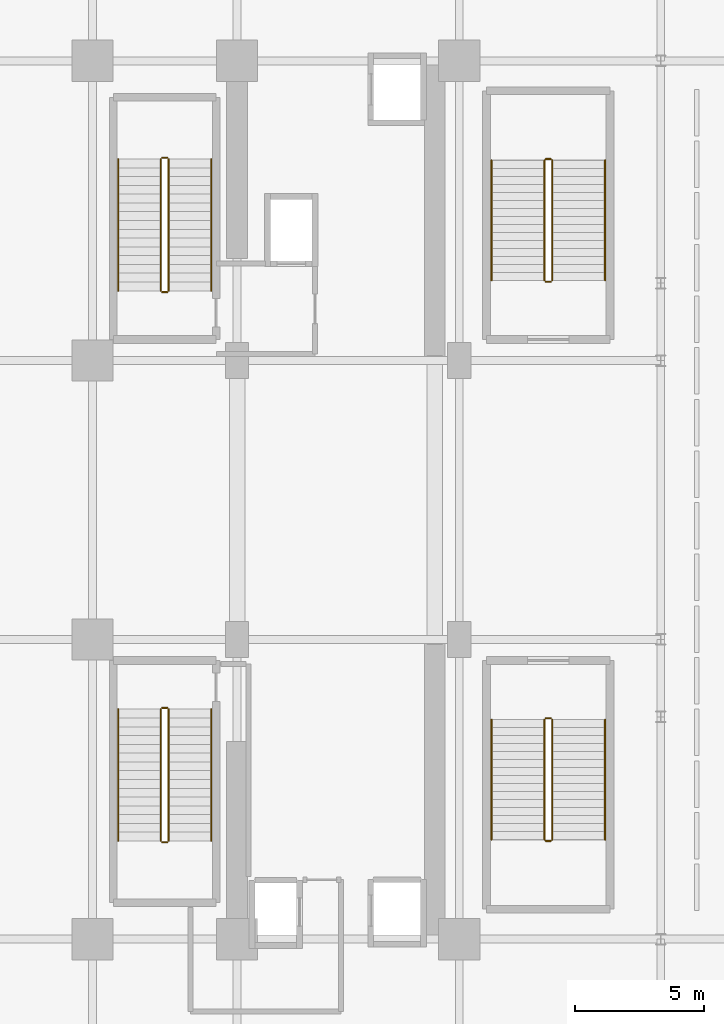
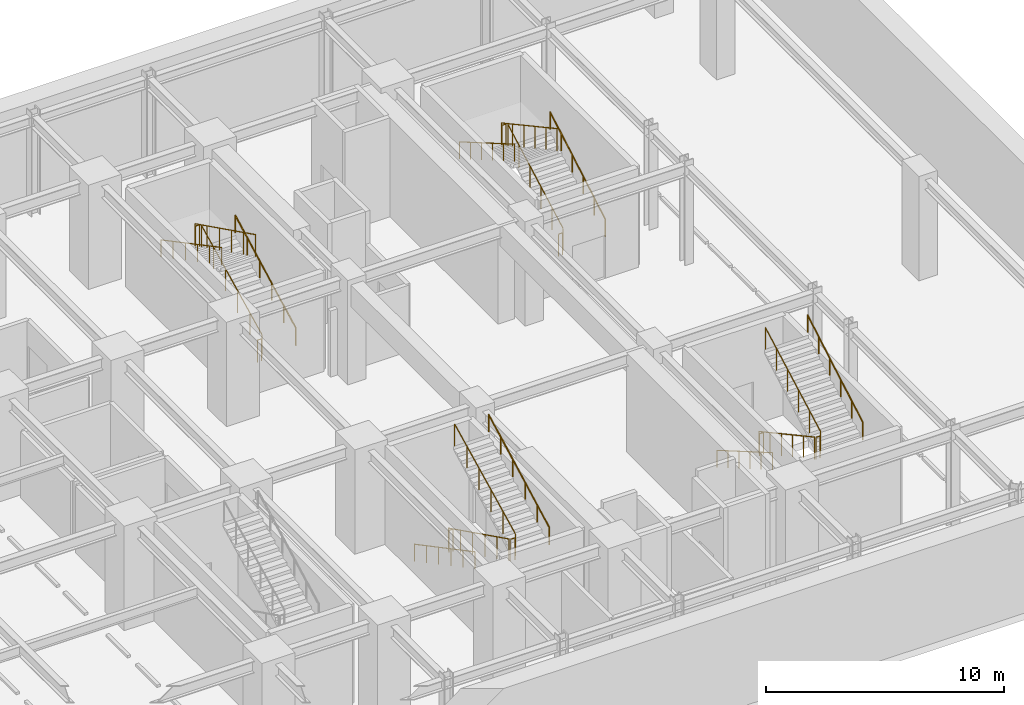
# One storey, part 10 of 10: 24 railings.
"""IFC4 building model written with IfcOpenShell, lengths in metres."""

from ifc_helpers import new_model, si_unit, direction, frame, origin, origin_2d, place, context, subcontext, project, spatial, circle, extrude, material, type_object, element, save


model = new_model("IFC4")

# Units and contexts
model_context = context("Model", 3, precision=1e-05, world=origin(), true_north=direction((0.0, 1.0)))
body_context = subcontext(model_context, "Body", "Model", "MODEL_VIEW")
ifc_project = project(units=[si_unit("LENGTHUNIT", "METRE"), si_unit("AREAUNIT", "SQUARE_METRE"), si_unit("VOLUMEUNIT", "CUBIC_METRE"), si_unit("PLANEANGLEUNIT", "RADIAN"), si_unit("MASSUNIT", "GRAM", prefix="KILO")], contexts=[model_context])

# Site, building, storey
site_placement = place(None, origin())
site = spatial("IfcSite", under=ifc_project, at=site_placement, CompositionType="ELEMENT")
building_placement = place(site_placement, origin())
building = spatial("IfcBuilding", under=site, at=building_placement, Name="Nahalor Promenade Grand Hotel", CompositionType="ELEMENT")
storey_placement = place(building_placement, frame((0.0, 0.0, -5.39990234375)))
storey = spatial("IfcBuildingStorey", under=building, at=storey_placement, Name="B01", CompositionType="ELEMENT", Elevation=-5.39990234375)

# Railings
ifc_material = material(Name="Steel S355JR", Category="steel")
railing_type_1 = type_object("IfcRailingType", Name="Steel Stair Guardrail 1150 mm", PredefinedType="GUARDRAIL", material=ifc_material)
railing_1_placement = place(storey_placement, frame((5.75, 8.10009765625, 0.168701171875)))
element("IfcRailing", 1, at=railing_1_placement, inside=storey, type_object=railing_type_1, Name="B01 ST1 stair guard 1", PredefinedType="GUARDRAIL", context=body_context, shape_type="SweptSolid", body=[
    extrude(circle(Radius=0.024048, at=origin_2d()), frame((0.0, 0.0, 1.1259765625), z_axis=(0.0, 0.895735491292, 0.444587370086), x_axis=(-1.0, 0.0, 0.0)), (0.0, 0.0, 1.0), 5.693603515625),
    extrude(circle(Radius=0.020996, at=origin_2d()), origin(), (0.0, 0.0, 1.0), 1.099853515625),
    extrude(circle(Radius=0.020996, at=origin_2d()), frame((0.0, 1.02001953125, 0.50634765625)), (0.0, 0.0, 1.0), 1.099853515625),
    extrude(circle(Radius=0.020996, at=origin_2d()), frame((0.0, 2.0400390625, 1.012451171875)), (0.0, 0.0, 1.0), 1.099853515625),
    extrude(circle(Radius=0.020996, at=origin_2d()), frame((0.0, 3.059814453125, 1.518798828125)), (0.0, 0.0, 1.0), 1.099853515625),
    extrude(circle(Radius=0.020996, at=origin_2d()), frame((0.0, 4.079833984375, 2.02490234375)), (0.0, 0.0, 1.0), 1.099853515625),
    extrude(circle(Radius=0.020996, at=origin_2d()), frame((0.0, 5.099853515625, 2.53125)), (0.0, 0.0, 1.0), 1.099853515625),
])
railing_2_placement = place(storey_placement, frame((5.699951171875, 13.25, 2.699951171875)))
element("IfcRailing", 2, at=railing_2_placement, inside=storey, type_object=railing_type_1, Name="B01 ST1 stair guard 2", PredefinedType="GUARDRAIL", context=body_context, shape_type="SweptSolid", body=[
    extrude(circle(Radius=0.024048, at=origin_2d()), frame((0.0, 0.0, 1.1259765625), z_axis=(-1.0, 0.0, 0.0), x_axis=(0.0, -1.0, 0.0)), (0.0, 0.0, 1.0), 0.199951171875),
    extrude(circle(Radius=0.020996, at=origin_2d()), origin(), (0.0, 0.0, 1.0), 1.099853515625),
    extrude(circle(Radius=0.020996, at=origin_2d()), frame((-0.199951171875, 0.0, 0.0)), (0.0, 0.0, 1.0), 1.099853515625),
])
railing_3_placement = place(storey_placement, frame((5.449951171875, 13.199951171875, 2.86865234375)))
element("IfcRailing", 3, at=railing_3_placement, inside=storey, type_object=railing_type_1, Name="B01 ST1 stair guard 3", PredefinedType="GUARDRAIL", context=body_context, shape_type="SweptSolid", body=[
    extrude(circle(Radius=0.024048, at=origin_2d()), frame((0.0, 0.0, 1.1259765625), z_axis=(0.0, -0.895735491292, 0.444587370086), x_axis=(1.0, 0.0, 0.0)), (0.0, 0.0, 1.0), 5.693603515625),
    extrude(circle(Radius=0.020996, at=origin_2d()), origin(), (0.0, 0.0, 1.0), 1.099853515625),
    extrude(circle(Radius=0.020996, at=origin_2d()), frame((0.0, -1.02001953125, 0.50634765625)), (0.0, 0.0, 1.0), 1.099853515625),
    extrude(circle(Radius=0.020996, at=origin_2d()), frame((0.0, -2.0400390625, 1.012451171875)), (0.0, 0.0, 1.0), 1.099853515625),
    extrude(circle(Radius=0.020996, at=origin_2d()), frame((0.0, -3.059814453125, 1.518798828125)), (0.0, 0.0, 1.0), 1.099853515625),
    extrude(circle(Radius=0.020996, at=origin_2d()), frame((0.0, -4.079833984375, 2.02490234375)), (0.0, 0.0, 1.0), 1.099853515625),
    extrude(circle(Radius=0.020996, at=origin_2d()), frame((0.0, -5.099853515625, 2.53125)), (0.0, 0.0, 1.0), 1.099853515625),
])
railing_4_placement = place(storey_placement, frame((5.699951171875, 8.050048828125, 0.0)))
element("IfcRailing", 4, at=railing_4_placement, inside=storey, type_object=railing_type_1, Name="B01 ST1 stair guard 4", PredefinedType="GUARDRAIL", context=body_context, shape_type="SweptSolid", body=[
    extrude(circle(Radius=0.024048, at=origin_2d()), frame((0.0, 0.0, 1.1259765625), z_axis=(-1.0, 0.0, 0.0), x_axis=(0.0, -1.0, 0.0)), (0.0, 0.0, 1.0), 0.199951171875),
    extrude(circle(Radius=0.020996, at=origin_2d()), origin(), (0.0, 0.0, 1.0), 1.099853515625),
    extrude(circle(Radius=0.020996, at=origin_2d()), frame((-0.199951171875, 0.0, 0.0)), (0.0, 0.0, 1.0), 1.099853515625),
])
railing_5_placement = place(storey_placement, frame((5.449951171875, -8.10009765625, 0.168701171875)))
element("IfcRailing", 5, at=railing_5_placement, inside=storey, type_object=railing_type_1, Name="B01 ST2 stair guard 1", PredefinedType="GUARDRAIL", context=body_context, shape_type="SweptSolid", body=[
    extrude(circle(Radius=0.024048, at=origin_2d()), frame((0.0, 0.0, 1.1259765625), z_axis=(0.0, -0.895735491292, 0.444587370086), x_axis=(1.0, 0.0, 0.0)), (0.0, 0.0, 1.0), 5.693603515625),
    extrude(circle(Radius=0.020996, at=origin_2d()), origin(), (0.0, 0.0, 1.0), 1.099853515625),
    extrude(circle(Radius=0.020996, at=origin_2d()), frame((0.0, -1.02001953125, 0.50634765625)), (0.0, 0.0, 1.0), 1.099853515625),
    extrude(circle(Radius=0.020996, at=origin_2d()), frame((0.0, -2.0400390625, 1.012451171875)), (0.0, 0.0, 1.0), 1.099853515625),
    extrude(circle(Radius=0.020996, at=origin_2d()), frame((0.0, -3.059814453125, 1.518798828125)), (0.0, 0.0, 1.0), 1.099853515625),
    extrude(circle(Radius=0.020996, at=origin_2d()), frame((0.0, -4.079833984375, 2.02490234375)), (0.0, 0.0, 1.0), 1.099853515625),
    extrude(circle(Radius=0.020996, at=origin_2d()), frame((0.0, -5.099853515625, 2.53125)), (0.0, 0.0, 1.0), 1.099853515625),
])
railing_6_placement = place(storey_placement, frame((5.5, -13.25, 2.699951171875)))
element("IfcRailing", 6, at=railing_6_placement, inside=storey, type_object=railing_type_1, Name="B01 ST2 stair guard 2", PredefinedType="GUARDRAIL", context=body_context, shape_type="SweptSolid", body=[
    extrude(circle(Radius=0.024048, at=origin_2d()), frame((0.0, 0.0, 1.1259765625), z_axis=(1.0, 0.0, 0.0), x_axis=(0.0, 1.0, 0.0)), (0.0, 0.0, 1.0), 0.199951171875),
    extrude(circle(Radius=0.020996, at=origin_2d()), origin(), (0.0, 0.0, 1.0), 1.099853515625),
    extrude(circle(Radius=0.020996, at=origin_2d()), frame((0.199951171875, 0.0, 0.0)), (0.0, 0.0, 1.0), 1.099853515625),
])
railing_7_placement = place(storey_placement, frame((5.75, -13.199951171875, 2.86865234375)))
element("IfcRailing", 7, at=railing_7_placement, inside=storey, type_object=railing_type_1, Name="B01 ST2 stair guard 3", PredefinedType="GUARDRAIL", context=body_context, shape_type="SweptSolid", body=[
    extrude(circle(Radius=0.024048, at=origin_2d()), frame((0.0, 0.0, 1.1259765625), z_axis=(0.0, 0.895735491292, 0.444587370086), x_axis=(-1.0, 0.0, 0.0)), (0.0, 0.0, 1.0), 5.693603515625),
    extrude(circle(Radius=0.020996, at=origin_2d()), origin(), (0.0, 0.0, 1.0), 1.099853515625),
    extrude(circle(Radius=0.020996, at=origin_2d()), frame((0.0, 1.02001953125, 0.50634765625)), (0.0, 0.0, 1.0), 1.099853515625),
    extrude(circle(Radius=0.020996, at=origin_2d()), frame((0.0, 2.0400390625, 1.012451171875)), (0.0, 0.0, 1.0), 1.099853515625),
    extrude(circle(Radius=0.020996, at=origin_2d()), frame((0.0, 3.059814453125, 1.518798828125)), (0.0, 0.0, 1.0), 1.099853515625),
    extrude(circle(Radius=0.020996, at=origin_2d()), frame((0.0, 4.079833984375, 2.02490234375)), (0.0, 0.0, 1.0), 1.099853515625),
    extrude(circle(Radius=0.020996, at=origin_2d()), frame((0.0, 5.099853515625, 2.53125)), (0.0, 0.0, 1.0), 1.099853515625),
])
railing_8_placement = place(storey_placement, frame((5.5, -8.050048828125, 0.0)))
element("IfcRailing", 8, at=railing_8_placement, inside=storey, type_object=railing_type_1, Name="B01 ST2 stair guard 4", PredefinedType="GUARDRAIL", context=body_context, shape_type="SweptSolid", body=[
    extrude(circle(Radius=0.024048, at=origin_2d()), frame((0.0, 0.0, 1.1259765625), z_axis=(1.0, 0.0, 0.0), x_axis=(0.0, 1.0, 0.0)), (0.0, 0.0, 1.0), 0.199951171875),
    extrude(circle(Radius=0.020996, at=origin_2d()), origin(), (0.0, 0.0, 1.0), 1.099853515625),
    extrude(circle(Radius=0.020996, at=origin_2d()), frame((0.199951171875, 0.0, 0.0)), (0.0, 0.0, 1.0), 1.099853515625),
])
railing_9_placement = place(storey_placement, frame((20.60009765625, 8.5, 0.168701171875)))
element("IfcRailing", 9, at=railing_9_placement, inside=storey, type_object=railing_type_1, Name="B01 ST4 stair guard 1", PredefinedType="GUARDRAIL", context=body_context, shape_type="SweptSolid", body=[
    extrude(circle(Radius=0.024048, at=origin_2d()), frame((0.0, 0.0, 1.1259765625), z_axis=(0.0, 0.878297076953, 0.478115304728), x_axis=(-1.0, 0.0, 0.0)), (0.0, 0.0, 1.0), 5.294189453125),
    extrude(circle(Radius=0.020996, at=origin_2d()), origin(), (0.0, 0.0, 1.0), 1.099853515625),
    extrude(circle(Radius=0.020996, at=origin_2d()), frame((0.0, 0.929931640625, 0.50634765625)), (0.0, 0.0, 1.0), 1.099853515625),
    extrude(circle(Radius=0.020996, at=origin_2d()), frame((0.0, 1.85986328125, 1.012451171875)), (0.0, 0.0, 1.0), 1.099853515625),
    extrude(circle(Radius=0.020996, at=origin_2d()), frame((0.0, 2.7900390625, 1.518798828125)), (0.0, 0.0, 1.0), 1.099853515625),
    extrude(circle(Radius=0.020996, at=origin_2d()), frame((0.0, 3.719970703125, 2.02490234375)), (0.0, 0.0, 1.0), 1.099853515625),
    extrude(circle(Radius=0.020996, at=origin_2d()), frame((0.0, 4.64990234375, 2.53125)), (0.0, 0.0, 1.0), 1.099853515625),
])
railing_10_placement = place(storey_placement, frame((20.550048828125, 13.199951171875, 2.699951171875)))
element("IfcRailing", 10, at=railing_10_placement, inside=storey, type_object=railing_type_1, Name="B01 ST4 stair guard 2", PredefinedType="GUARDRAIL", context=body_context, shape_type="SweptSolid", body=[
    extrude(circle(Radius=0.024048, at=origin_2d()), frame((0.0, 0.0, 1.1259765625), z_axis=(-1.0, 0.0, 0.0), x_axis=(0.0, -1.0, 0.0)), (0.0, 0.0, 1.0), 0.199951171875),
    extrude(circle(Radius=0.020996, at=origin_2d()), origin(), (0.0, 0.0, 1.0), 1.099853515625),
    extrude(circle(Radius=0.020996, at=origin_2d()), frame((-0.199951171875, 0.0, 0.0)), (0.0, 0.0, 1.0), 1.099853515625),
])
railing_11_placement = place(storey_placement, frame((20.300048828125, 13.14990234375, 2.86865234375)))
element("IfcRailing", 11, at=railing_11_placement, inside=storey, type_object=railing_type_1, Name="B01 ST4 stair guard 3", PredefinedType="GUARDRAIL", context=body_context, shape_type="SweptSolid", body=[
    extrude(circle(Radius=0.024048, at=origin_2d()), frame((0.0, 0.0, 1.1259765625), z_axis=(0.0, -0.878297076953, 0.478115304728), x_axis=(1.0, 0.0, 0.0)), (0.0, 0.0, 1.0), 5.294189453125),
    extrude(circle(Radius=0.020996, at=origin_2d()), origin(), (0.0, 0.0, 1.0), 1.099853515625),
    extrude(circle(Radius=0.020996, at=origin_2d()), frame((0.0, -0.929931640625, 0.50634765625)), (0.0, 0.0, 1.0), 1.099853515625),
    extrude(circle(Radius=0.020996, at=origin_2d()), frame((0.0, -1.85986328125, 1.012451171875)), (0.0, 0.0, 1.0), 1.099853515625),
    extrude(circle(Radius=0.020996, at=origin_2d()), frame((0.0, -2.7900390625, 1.518798828125)), (0.0, 0.0, 1.0), 1.099853515625),
    extrude(circle(Radius=0.020996, at=origin_2d()), frame((0.0, -3.719970703125, 2.02490234375)), (0.0, 0.0, 1.0), 1.099853515625),
    extrude(circle(Radius=0.020996, at=origin_2d()), frame((0.0, -4.64990234375, 2.53125)), (0.0, 0.0, 1.0), 1.099853515625),
])
railing_12_placement = place(storey_placement, frame((20.550048828125, 8.449951171875, 0.0)))
element("IfcRailing", 12, at=railing_12_placement, inside=storey, type_object=railing_type_1, Name="B01 ST4 stair guard 4", PredefinedType="GUARDRAIL", context=body_context, shape_type="SweptSolid", body=[
    extrude(circle(Radius=0.024048, at=origin_2d()), frame((0.0, 0.0, 1.1259765625), z_axis=(-1.0, 0.0, 0.0), x_axis=(0.0, -1.0, 0.0)), (0.0, 0.0, 1.0), 0.199951171875),
    extrude(circle(Radius=0.020996, at=origin_2d()), origin(), (0.0, 0.0, 1.0), 1.099853515625),
    extrude(circle(Radius=0.020996, at=origin_2d()), frame((-0.199951171875, 0.0, 0.0)), (0.0, 0.0, 1.0), 1.099853515625),
])
railing_13_placement = place(storey_placement, frame((20.300048828125, -8.5, 0.168701171875)))
element("IfcRailing", 13, at=railing_13_placement, inside=storey, type_object=railing_type_1, Name="B01 ST5 stair guard 1", PredefinedType="GUARDRAIL", context=body_context, shape_type="SweptSolid", body=[
    extrude(circle(Radius=0.024048, at=origin_2d()), frame((0.0, 0.0, 1.1259765625), z_axis=(0.0, -0.878297076953, 0.478115304728), x_axis=(1.0, 0.0, 0.0)), (0.0, 0.0, 1.0), 5.294189453125),
    extrude(circle(Radius=0.020996, at=origin_2d()), origin(), (0.0, 0.0, 1.0), 1.099853515625),
    extrude(circle(Radius=0.020996, at=origin_2d()), frame((0.0, -0.929931640625, 0.50634765625)), (0.0, 0.0, 1.0), 1.099853515625),
    extrude(circle(Radius=0.020996, at=origin_2d()), frame((0.0, -1.85986328125, 1.012451171875)), (0.0, 0.0, 1.0), 1.099853515625),
    extrude(circle(Radius=0.020996, at=origin_2d()), frame((0.0, -2.7900390625, 1.518798828125)), (0.0, 0.0, 1.0), 1.099853515625),
    extrude(circle(Radius=0.020996, at=origin_2d()), frame((0.0, -3.719970703125, 2.02490234375)), (0.0, 0.0, 1.0), 1.099853515625),
    extrude(circle(Radius=0.020996, at=origin_2d()), frame((0.0, -4.64990234375, 2.53125)), (0.0, 0.0, 1.0), 1.099853515625),
])
railing_14_placement = place(storey_placement, frame((20.35009765625, -13.199951171875, 2.699951171875)))
element("IfcRailing", 14, at=railing_14_placement, inside=storey, type_object=railing_type_1, Name="B01 ST5 stair guard 2", PredefinedType="GUARDRAIL", context=body_context, shape_type="SweptSolid", body=[
    extrude(circle(Radius=0.024048, at=origin_2d()), frame((0.0, 0.0, 1.1259765625), z_axis=(1.0, 0.0, 0.0), x_axis=(0.0, 1.0, 0.0)), (0.0, 0.0, 1.0), 0.199951171875),
    extrude(circle(Radius=0.020996, at=origin_2d()), origin(), (0.0, 0.0, 1.0), 1.099853515625),
    extrude(circle(Radius=0.020996, at=origin_2d()), frame((0.199951171875, 0.0, 0.0)), (0.0, 0.0, 1.0), 1.099853515625),
])
railing_15_placement = place(storey_placement, frame((20.60009765625, -13.14990234375, 2.86865234375)))
element("IfcRailing", 15, at=railing_15_placement, inside=storey, type_object=railing_type_1, Name="B01 ST5 stair guard 3", PredefinedType="GUARDRAIL", context=body_context, shape_type="SweptSolid", body=[
    extrude(circle(Radius=0.024048, at=origin_2d()), frame((0.0, 0.0, 1.1259765625), z_axis=(0.0, 0.878297076953, 0.478115304728), x_axis=(-1.0, 0.0, 0.0)), (0.0, 0.0, 1.0), 5.294189453125),
    extrude(circle(Radius=0.020996, at=origin_2d()), origin(), (0.0, 0.0, 1.0), 1.099853515625),
    extrude(circle(Radius=0.020996, at=origin_2d()), frame((0.0, 0.929931640625, 0.50634765625)), (0.0, 0.0, 1.0), 1.099853515625),
    extrude(circle(Radius=0.020996, at=origin_2d()), frame((0.0, 1.85986328125, 1.012451171875)), (0.0, 0.0, 1.0), 1.099853515625),
    extrude(circle(Radius=0.020996, at=origin_2d()), frame((0.0, 2.7900390625, 1.518798828125)), (0.0, 0.0, 1.0), 1.099853515625),
    extrude(circle(Radius=0.020996, at=origin_2d()), frame((0.0, 3.719970703125, 2.02490234375)), (0.0, 0.0, 1.0), 1.099853515625),
    extrude(circle(Radius=0.020996, at=origin_2d()), frame((0.0, 4.64990234375, 2.53125)), (0.0, 0.0, 1.0), 1.099853515625),
])
railing_16_placement = place(storey_placement, frame((20.35009765625, -8.449951171875, 0.0)))
element("IfcRailing", 16, at=railing_16_placement, inside=storey, type_object=railing_type_1, Name="B01 ST5 stair guard 4", PredefinedType="GUARDRAIL", context=body_context, shape_type="SweptSolid", body=[
    extrude(circle(Radius=0.024048, at=origin_2d()), frame((0.0, 0.0, 1.1259765625), z_axis=(1.0, 0.0, 0.0), x_axis=(0.0, 1.0, 0.0)), (0.0, 0.0, 1.0), 0.199951171875),
    extrude(circle(Radius=0.020996, at=origin_2d()), origin(), (0.0, 0.0, 1.0), 1.099853515625),
    extrude(circle(Radius=0.020996, at=origin_2d()), frame((0.199951171875, 0.0, 0.0)), (0.0, 0.0, 1.0), 1.099853515625),
])
railing_type_2 = type_object("IfcRailingType", Name="Steel Stair Handrail 900 mm", PredefinedType="HANDRAIL", material=ifc_material)
railing_17_placement = place(storey_placement, frame((7.39990234375, 8.10009765625, 0.168701171875)))
element("IfcRailing", 17, at=railing_17_placement, inside=storey, type_object=railing_type_2, Name="B01 ST1 stair handrail 1", PredefinedType="HANDRAIL", context=body_context, shape_type="SweptSolid", body=[
    extrude(circle(Radius=0.024048, at=origin_2d()), frame((0.0, 0.0, 0.8759765625), z_axis=(0.0, 0.883785858079, 0.467891608238), x_axis=(-1.0, 0.0, 0.0)), (0.0, 0.0, 1.0), 5.7705078125),
    extrude(circle(Radius=0.020996, at=origin_2d()), origin(), (0.0, 0.0, 1.0), 0.849853515625),
    extrude(circle(Radius=0.020996, at=origin_2d()), frame((0.0, 1.02001953125, 0.5400390625)), (0.0, 0.0, 1.0), 0.849853515625),
    extrude(circle(Radius=0.020996, at=origin_2d()), frame((0.0, 2.0400390625, 1.080078125)), (0.0, 0.0, 1.0), 0.849853515625),
    extrude(circle(Radius=0.020996, at=origin_2d()), frame((0.0, 3.059814453125, 1.619873046875)), (0.0, 0.0, 1.0), 0.849853515625),
    extrude(circle(Radius=0.020996, at=origin_2d()), frame((0.0, 4.079833984375, 2.159912109375)), (0.0, 0.0, 1.0), 0.849853515625),
    extrude(circle(Radius=0.020996, at=origin_2d()), frame((0.0, 5.099853515625, 2.699951171875)), (0.0, 0.0, 1.0), 0.849853515625),
])
for number, where, name in (
    (18, (3.800048828125, 13.199951171875, 2.86865234375), "B01 ST1 stair handrail 2"),
    (19, (3.800048828125, -8.10009765625, 0.168701171875), "B01 ST2 stair handrail 1"),
):
    element("IfcRailing", number, at=place(storey_placement, frame(where)), inside=storey, type_object=railing_type_2, Name=name, PredefinedType="HANDRAIL", context=body_context, shape_type="SweptSolid", body=[
        extrude(circle(Radius=0.024048, at=origin_2d()), frame((0.0, 0.0, 0.8759765625), z_axis=(0.0, -0.883785858079, 0.467891608238), x_axis=(1.0, 0.0, 0.0)), (0.0, 0.0, 1.0), 5.7705078125),
        extrude(circle(Radius=0.020996, at=origin_2d()), origin(), (0.0, 0.0, 1.0), 0.849853515625),
        extrude(circle(Radius=0.020996, at=origin_2d()), frame((0.0, -1.02001953125, 0.5400390625)), (0.0, 0.0, 1.0), 0.849853515625),
        extrude(circle(Radius=0.020996, at=origin_2d()), frame((0.0, -2.0400390625, 1.080078125)), (0.0, 0.0, 1.0), 0.849853515625),
        extrude(circle(Radius=0.020996, at=origin_2d()), frame((0.0, -3.059814453125, 1.619873046875)), (0.0, 0.0, 1.0), 0.849853515625),
        extrude(circle(Radius=0.020996, at=origin_2d()), frame((0.0, -4.079833984375, 2.159912109375)), (0.0, 0.0, 1.0), 0.849853515625),
        extrude(circle(Radius=0.020996, at=origin_2d()), frame((0.0, -5.099853515625, 2.699951171875)), (0.0, 0.0, 1.0), 0.849853515625),
    ])
railing_18_placement = place(storey_placement, frame((7.39990234375, -13.199951171875, 2.86865234375)))
element("IfcRailing", 20, at=railing_18_placement, inside=storey, type_object=railing_type_2, Name="B01 ST2 stair handrail 2", PredefinedType="HANDRAIL", context=body_context, shape_type="SweptSolid", body=[
    extrude(circle(Radius=0.024048, at=origin_2d()), frame((0.0, 0.0, 0.8759765625), z_axis=(0.0, 0.883785858079, 0.467891608238), x_axis=(-1.0, 0.0, 0.0)), (0.0, 0.0, 1.0), 5.7705078125),
    extrude(circle(Radius=0.020996, at=origin_2d()), origin(), (0.0, 0.0, 1.0), 0.849853515625),
    extrude(circle(Radius=0.020996, at=origin_2d()), frame((0.0, 1.02001953125, 0.5400390625)), (0.0, 0.0, 1.0), 0.849853515625),
    extrude(circle(Radius=0.020996, at=origin_2d()), frame((0.0, 2.0400390625, 1.080078125)), (0.0, 0.0, 1.0), 0.849853515625),
    extrude(circle(Radius=0.020996, at=origin_2d()), frame((0.0, 3.059814453125, 1.619873046875)), (0.0, 0.0, 1.0), 0.849853515625),
    extrude(circle(Radius=0.020996, at=origin_2d()), frame((0.0, 4.079833984375, 2.159912109375)), (0.0, 0.0, 1.0), 0.849853515625),
    extrude(circle(Radius=0.020996, at=origin_2d()), frame((0.0, 5.099853515625, 2.699951171875)), (0.0, 0.0, 1.0), 0.849853515625),
])
railing_19_placement = place(storey_placement, frame((22.64990234375, 8.5, 0.168701171875)))
element("IfcRailing", 21, at=railing_19_placement, inside=storey, type_object=railing_type_2, Name="B01 ST4 stair handrail 1", PredefinedType="HANDRAIL", context=body_context, shape_type="SweptSolid", body=[
    extrude(circle(Radius=0.024048, at=origin_2d()), frame((0.0, 0.0, 0.8759765625), z_axis=(0.0, 0.864788310583, 0.502136612766), x_axis=(-1.0, 0.0, 0.0)), (0.0, 0.0, 1.0), 5.376953125),
    extrude(circle(Radius=0.020996, at=origin_2d()), origin(), (0.0, 0.0, 1.0), 0.849853515625),
    extrude(circle(Radius=0.020996, at=origin_2d()), frame((0.0, 0.929931640625, 0.5400390625)), (0.0, 0.0, 1.0), 0.849853515625),
    extrude(circle(Radius=0.020996, at=origin_2d()), frame((0.0, 1.85986328125, 1.080078125)), (0.0, 0.0, 1.0), 0.849853515625),
    extrude(circle(Radius=0.020996, at=origin_2d()), frame((0.0, 2.7900390625, 1.619873046875)), (0.0, 0.0, 1.0), 0.849853515625),
    extrude(circle(Radius=0.020996, at=origin_2d()), frame((0.0, 3.719970703125, 2.159912109375)), (0.0, 0.0, 1.0), 0.849853515625),
    extrude(circle(Radius=0.020996, at=origin_2d()), frame((0.0, 4.64990234375, 2.699951171875)), (0.0, 0.0, 1.0), 0.849853515625),
])
for number, where, name in (
    (22, (18.25, 13.14990234375, 2.86865234375), "B01 ST4 stair handrail 2"),
    (23, (18.25, -8.5, 0.168701171875), "B01 ST5 stair handrail 1"),
):
    element("IfcRailing", number, at=place(storey_placement, frame(where)), inside=storey, type_object=railing_type_2, Name=name, PredefinedType="HANDRAIL", context=body_context, shape_type="SweptSolid", body=[
        extrude(circle(Radius=0.024048, at=origin_2d()), frame((0.0, 0.0, 0.8759765625), z_axis=(0.0, -0.864788310583, 0.502136612766), x_axis=(1.0, 0.0, 0.0)), (0.0, 0.0, 1.0), 5.376953125),
        extrude(circle(Radius=0.020996, at=origin_2d()), origin(), (0.0, 0.0, 1.0), 0.849853515625),
        extrude(circle(Radius=0.020996, at=origin_2d()), frame((0.0, -0.929931640625, 0.5400390625)), (0.0, 0.0, 1.0), 0.849853515625),
        extrude(circle(Radius=0.020996, at=origin_2d()), frame((0.0, -1.85986328125, 1.080078125)), (0.0, 0.0, 1.0), 0.849853515625),
        extrude(circle(Radius=0.020996, at=origin_2d()), frame((0.0, -2.7900390625, 1.619873046875)), (0.0, 0.0, 1.0), 0.849853515625),
        extrude(circle(Radius=0.020996, at=origin_2d()), frame((0.0, -3.719970703125, 2.159912109375)), (0.0, 0.0, 1.0), 0.849853515625),
        extrude(circle(Radius=0.020996, at=origin_2d()), frame((0.0, -4.64990234375, 2.699951171875)), (0.0, 0.0, 1.0), 0.849853515625),
    ])
railing_20_placement = place(storey_placement, frame((22.64990234375, -13.14990234375, 2.86865234375)))
element("IfcRailing", 24, at=railing_20_placement, inside=storey, type_object=railing_type_2, Name="B01 ST5 stair handrail 2", PredefinedType="HANDRAIL", context=body_context, shape_type="SweptSolid", body=[
    extrude(circle(Radius=0.024048, at=origin_2d()), frame((0.0, 0.0, 0.8759765625), z_axis=(0.0, 0.864788310583, 0.502136612766), x_axis=(-1.0, 0.0, 0.0)), (0.0, 0.0, 1.0), 5.376953125),
    extrude(circle(Radius=0.020996, at=origin_2d()), origin(), (0.0, 0.0, 1.0), 0.849853515625),
    extrude(circle(Radius=0.020996, at=origin_2d()), frame((0.0, 0.929931640625, 0.5400390625)), (0.0, 0.0, 1.0), 0.849853515625),
    extrude(circle(Radius=0.020996, at=origin_2d()), frame((0.0, 1.85986328125, 1.080078125)), (0.0, 0.0, 1.0), 0.849853515625),
    extrude(circle(Radius=0.020996, at=origin_2d()), frame((0.0, 2.7900390625, 1.619873046875)), (0.0, 0.0, 1.0), 0.849853515625),
    extrude(circle(Radius=0.020996, at=origin_2d()), frame((0.0, 3.719970703125, 2.159912109375)), (0.0, 0.0, 1.0), 0.849853515625),
    extrude(circle(Radius=0.020996, at=origin_2d()), frame((0.0, 4.64990234375, 2.699951171875)), (0.0, 0.0, 1.0), 0.849853515625),
])

save(model, "model.ifc")
